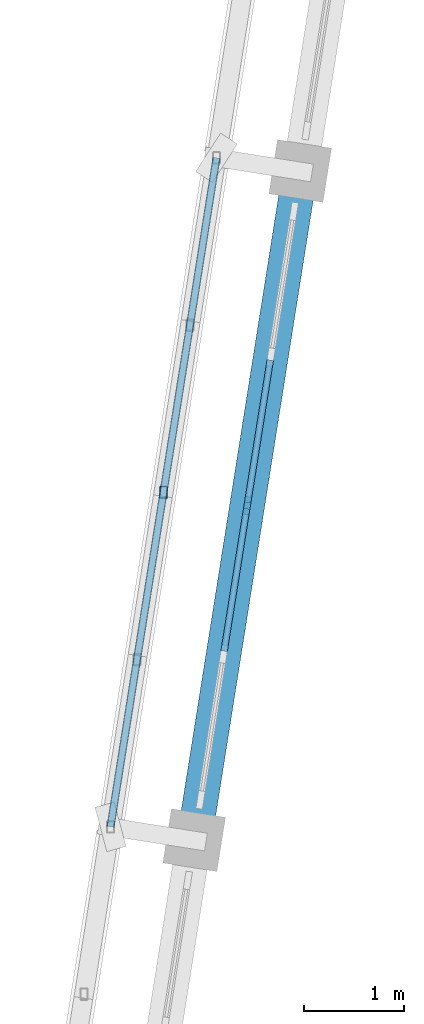
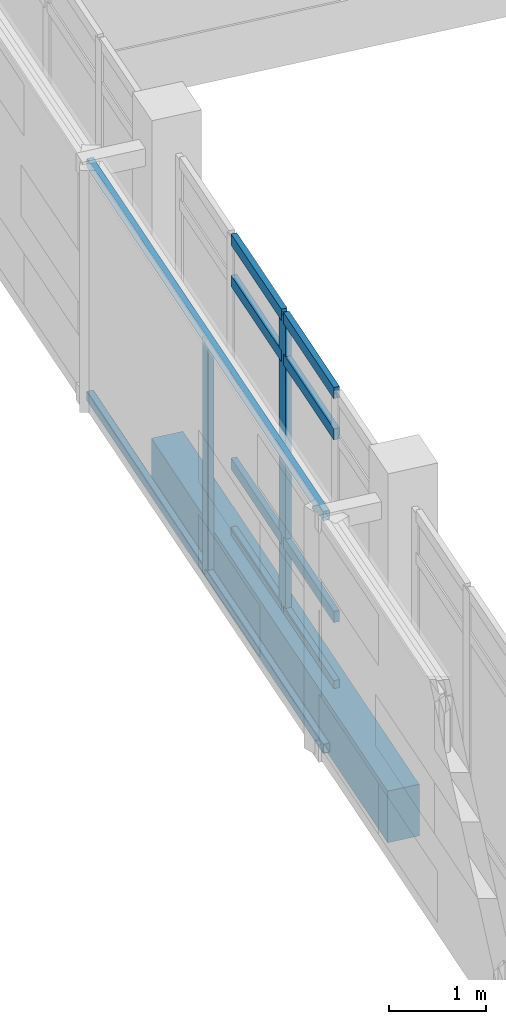
# One storey, part 40 of 137: 12 members, 1 beam, 1 element without a shape of its own.
"""IFC4 building model written with IfcOpenShell, lengths in metres."""

from ifc_helpers import new_model, si_unit, direction, frame, origin, origin_2d, place, context, subcontext, project, spatial, rectangle, hollow_rectangle, extrude, material, material_profile, profile_set, type_object, element, aggregate, save


model = new_model("IFC4")

# Units and contexts
model_context = context("Model", 3, precision=1e-05, world=origin(), true_north=direction((0.0, 1.0)))
body_context = subcontext(model_context, "Body", "Model", "MODEL_VIEW")
ifc_project = project(units=[si_unit("LENGTHUNIT", "METRE"), si_unit("AREAUNIT", "SQUARE_METRE"), si_unit("VOLUMEUNIT", "CUBIC_METRE"), si_unit("PLANEANGLEUNIT", "RADIAN"), si_unit("MASSUNIT", "GRAM", prefix="KILO")], contexts=[model_context])

# Site, building, storey
site_placement = place(None, origin())
site = spatial("IfcSite", under=ifc_project, at=site_placement, CompositionType="ELEMENT")
building_placement = place(site_placement, origin())
building = spatial("IfcBuilding", under=site, at=building_placement, Name="Cinderway Yard Community Centre", CompositionType="ELEMENT")
storey_placement = place(building_placement, frame((0.0, 0.0, 4.800048828125)))
storey = spatial("IfcBuildingStorey", under=building, at=storey_placement, Name="L01", CompositionType="ELEMENT", Elevation=4.800048828125)

# Curtain wall, members
ifc_material_1 = material(Name="Aluminium 6063-T6", Category="aluminium")
curtain_wall_type = type_object("IfcCurtainWallType", Name="ENV-CW-TYPE-14", PredefinedType="USERDEFINED", material=ifc_material_1)
curtain_wall_placement = place(storey_placement, origin())
curtain_wall = element("IfcCurtainWall", 1, at=curtain_wall_placement, inside=storey, type_object=curtain_wall_type, Name="Sports Hall Courtyard Curtain Wall ENV-CW-L01-HS-0055", ObjectType="GLAZED CURTAIN WALL", PredefinedType="USERDEFINED")
ifc_material_profile_1 = material_profile(ifc_material_1, rectangle(XDim=0.06494140625, YDim=0.179931640625, at=origin_2d()), Name="Aluminium 6063-T6")
ifc_profile_set_1 = profile_set([ifc_material_profile_1], Name="Aluminium 6063-T6")
member_type_1 = type_object("IfcMemberType", Name="ENV-CW-MULL-180", PredefinedType="MULLION", material=ifc_profile_set_1)
member_1_placement = place(storey_placement, frame((122.787109375, 68.222900390625, 0.0), z_axis=(0.0, 0.0, 1.0), x_axis=(-0.987660740525, 0.156608625643, 0.0)))
member_1 = element("IfcMember", 2, at=member_1_placement, type_object=member_type_1, Name="CW-14 mullion 3", PredefinedType="MULLION", context=body_context, shape_type="SweptSolid", body=[
    extrude(rectangle(XDim=0.06494140625, YDim=0.179931640625, at=origin_2d()), origin(), (0.0, 0.0, 1.0), 3.75),
])
ifc_material_profile_2 = material_profile(ifc_material_1, rectangle(XDim=0.06494140625, YDim=0.139892578125, at=origin_2d()), Name="Aluminium 6063-T6")
ifc_profile_set_2 = profile_set([ifc_material_profile_2], Name="Aluminium 6063-T6")
member_type_2 = type_object("IfcMemberType", Name="ENV-CW-TRAN-140", PredefinedType="USERDEFINED", material=ifc_profile_set_2)
member_2_placement = place(storey_placement, frame((122.55517578125, 66.76123046875, 0.030029296875), z_axis=(0.156585060263, 0.987664476886, 0.0), x_axis=(-0.987664476886, 0.156585060263, 0.0)))
member_2 = element("IfcMember", 3, at=member_2_placement, type_object=member_type_2, Name="CW-14 transom 2.1", ObjectType="TRANSOM", PredefinedType="USERDEFINED", context=body_context, shape_type="SweptSolid", body=[
    extrude(rectangle(XDim=0.06494140625, YDim=0.139892578125, at=origin_2d()), origin(), (0.0, 0.0, 1.0), 1.449951171875),
])
member_3_placement = place(storey_placement, frame((122.55517578125, 66.76123046875, 0.89990234375), z_axis=(0.156585060263, 0.987664476886, 0.0), x_axis=(-0.987664476886, 0.156585060263, 0.0)))
member_3 = element("IfcMember", 4, at=member_3_placement, type_object=member_type_2, Name="CW-14 transom 2.2", ObjectType="TRANSOM", PredefinedType="USERDEFINED", context=body_context, shape_type="SweptSolid", body=[
    extrude(rectangle(XDim=0.06494140625, YDim=0.139892578125, at=origin_2d()), origin(), (0.0, 0.0, 1.0), 1.449951171875),
])
member_4_placement = place(storey_placement, frame((122.55517578125, 66.76123046875, 3.199951171875), z_axis=(0.156585060263, 0.987664476886, 0.0), x_axis=(-0.987664476886, 0.156585060263, 0.0)))
member_4 = element("IfcMember", 5, at=member_4_placement, type_object=member_type_2, Name="CW-14 transom 2.3", ObjectType="TRANSOM", PredefinedType="USERDEFINED", context=body_context, shape_type="SweptSolid", body=[
    extrude(rectangle(XDim=0.06494140625, YDim=0.139892578125, at=origin_2d()), origin(), (0.0, 0.0, 1.0), 1.449951171875),
])
member_5_placement = place(storey_placement, frame((122.55517578125, 66.76123046875, 3.719970703125), z_axis=(0.156585060263, 0.987664476886, 0.0), x_axis=(-0.987664476886, 0.156585060263, 0.0)))
member_5 = element("IfcMember", 6, at=member_5_placement, type_object=member_type_2, Name="CW-14 transom 2.4", ObjectType="TRANSOM", PredefinedType="USERDEFINED", context=body_context, shape_type="SweptSolid", body=[
    extrude(rectangle(XDim=0.06494140625, YDim=0.139892578125, at=origin_2d()), origin(), (0.0, 0.0, 1.0), 1.449951171875),
])
member_6_placement = place(storey_placement, frame((122.791748046875, 68.252685546875, 0.030029296875), z_axis=(0.156585060263, 0.987664476886, 0.0), x_axis=(-0.987664476886, 0.156585060263, 0.0)))
member_6 = element("IfcMember", 7, at=member_6_placement, type_object=member_type_2, Name="CW-14 transom 3.1", ObjectType="TRANSOM", PredefinedType="USERDEFINED", context=body_context, shape_type="SweptSolid", body=[
    extrude(rectangle(XDim=0.06494140625, YDim=0.139892578125, at=origin_2d()), origin(), (0.0, 0.0, 1.0), 1.449951171875),
])
member_7_placement = place(storey_placement, frame((122.791748046875, 68.252685546875, 0.89990234375), z_axis=(0.156585060263, 0.987664476886, 0.0), x_axis=(-0.987664476886, 0.156585060263, 0.0)))
member_7 = element("IfcMember", 8, at=member_7_placement, type_object=member_type_2, Name="CW-14 transom 3.2", ObjectType="TRANSOM", PredefinedType="USERDEFINED", context=body_context, shape_type="SweptSolid", body=[
    extrude(rectangle(XDim=0.06494140625, YDim=0.139892578125, at=origin_2d()), origin(), (0.0, 0.0, 1.0), 1.449951171875),
])
member_8_placement = place(storey_placement, frame((122.791748046875, 68.252685546875, 3.199951171875), z_axis=(0.156585060263, 0.987664476886, 0.0), x_axis=(-0.987664476886, 0.156585060263, 0.0)))
member_8 = element("IfcMember", 9, at=member_8_placement, type_object=member_type_2, Name="CW-14 transom 3.3", ObjectType="TRANSOM", PredefinedType="USERDEFINED", context=body_context, shape_type="SweptSolid", body=[
    extrude(rectangle(XDim=0.06494140625, YDim=0.139892578125, at=origin_2d()), origin(), (0.0, 0.0, 1.0), 1.449951171875),
])
member_9_placement = place(storey_placement, frame((122.791748046875, 68.252685546875, 3.719970703125), z_axis=(0.156585060263, 0.987664476886, 0.0), x_axis=(-0.987664476886, 0.156585060263, 0.0)))
member_9 = element("IfcMember", 10, at=member_9_placement, type_object=member_type_2, Name="CW-14 transom 3.4", ObjectType="TRANSOM", PredefinedType="USERDEFINED", context=body_context, shape_type="SweptSolid", body=[
    extrude(rectangle(XDim=0.06494140625, YDim=0.139892578125, at=origin_2d()), origin(), (0.0, 0.0, 1.0), 1.449951171875),
])
aggregate(curtain_wall, [member_1, member_2, member_3, member_4, member_5, member_6, member_7, member_8, member_9])

# Members
ifc_material_2 = material(Name="Steel S355", Category="steel")
ifc_material_profile_3 = material_profile(ifc_material_2, hollow_rectangle(XDim=0.080078125, YDim=0.1201171875, WallThickness=0.00634765625, InnerFilletRadius=0.00634765625, OuterFilletRadius=0.0126953125, at=origin_2d()), Name="Steel S355")
ifc_profile_set_3 = profile_set([ifc_material_profile_3], Name="Steel S355")
member_type_3 = type_object("IfcMemberType", Name="ENV-MEM-SCREEN-RAIL-120", PredefinedType="STRINGER", material=ifc_profile_set_3)
for number, where, z_axis, x_axis, name in (
    (11, (121.4150390625, 64.998046875, 0.7099609375), (0.156469575446, 0.987682779013, 0.0), (-0.987682779013, 0.156469575446, 0.0), "Screen support rail 0997-BOT"),
    (12, (121.4150390625, 64.998046875, 3.639892578125), (0.156469575446, 0.987682779013, 0.0), (-0.987682779013, 0.156469575446, 0.0), "Screen support rail 0998-TOP"),
):
    element("IfcMember", number, at=place(storey_placement, frame(where, z_axis=z_axis, x_axis=x_axis)), inside=storey, type_object=member_type_3, Name=name, PredefinedType="STRINGER", context=body_context, shape_type="SweptSolid", body=[
        extrude(hollow_rectangle(XDim=0.080078125, YDim=0.1201171875, WallThickness=0.00634765625, InnerFilletRadius=0.00634765625, OuterFilletRadius=0.0126953125, at=origin_2d()), origin(), (0.0, 0.0, 1.0), 6.7998046875),
    ])
member_10_placement = place(storey_placement, frame((121.947021484375, 68.35595703125, 0.68994140625), z_axis=(0.0, 0.0, 1.0), x_axis=(1.0, 0.0, 0.0)))
element("IfcMember", 13, at=member_10_placement, inside=storey, type_object=member_type_3, Name="Screen vertical mullion 1000", PredefinedType="STRINGER", context=body_context, shape_type="SweptSolid", body=[
    extrude(hollow_rectangle(XDim=0.080078125, YDim=0.1201171875, WallThickness=0.00634765625, InnerFilletRadius=0.00634765625, OuterFilletRadius=0.0126953125, at=origin_2d()), origin(), (0.0, 0.0, 1.0), 2.969970703125),
])

# Beam
ifc_material_3 = material(Name="Concrete C35/45", Category="concrete")
ifc_material_profile_4 = material_profile(ifc_material_3, rectangle(XDim=0.35009765625, YDim=0.64990234375, at=origin_2d()), Name="Concrete C35/45")
ifc_profile_set_4 = profile_set([ifc_material_profile_4], Name="Concrete C35/45")
beam_type = type_object("IfcBeamType", Name="STR-BM-RC350X650", PredefinedType="BEAM", material=ifc_profile_set_4)
beam_placement = place(storey_placement, frame((122.2548828125, 64.864990234375, -0.324951171875), z_axis=(0.15650460011, 0.987677229739, 0.0), x_axis=(-0.987677229739, 0.15650460011, 0.0)))
element("IfcBeam", 14, at=beam_placement, inside=storey, type_object=beam_type, Name="Sports Hall west ring beam STR-BM-L01-BG08-0102", PredefinedType="BEAM", context=body_context, shape_type="SweptSolid", body=[
    extrude(rectangle(XDim=0.35009765625, YDim=0.64990234375, at=origin_2d()), origin(), (0.0, 0.0, 1.0), 6.7998046875),
])

save(model, "model.ifc")
